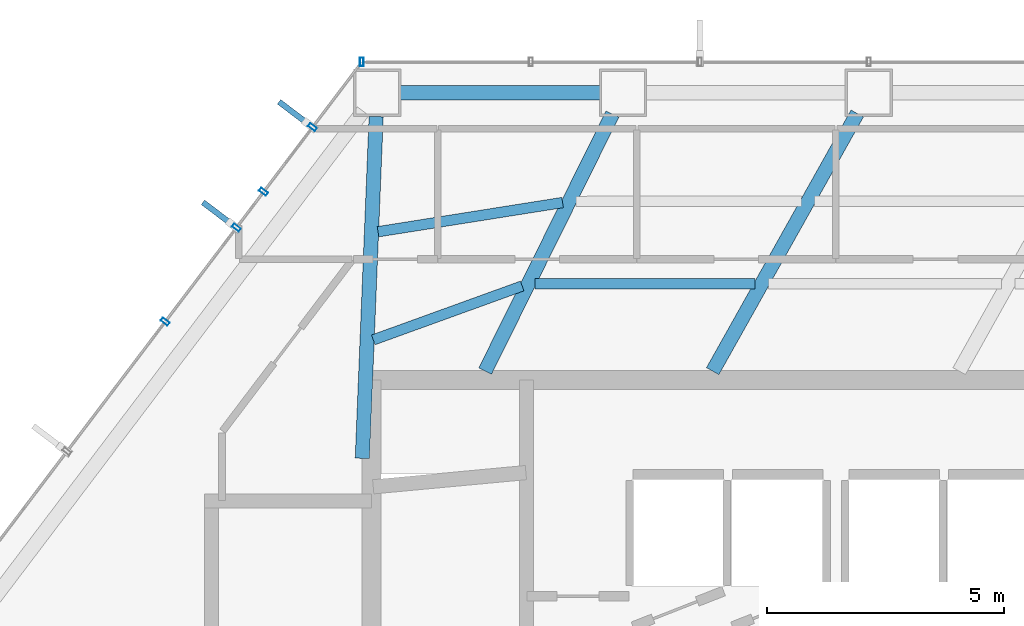
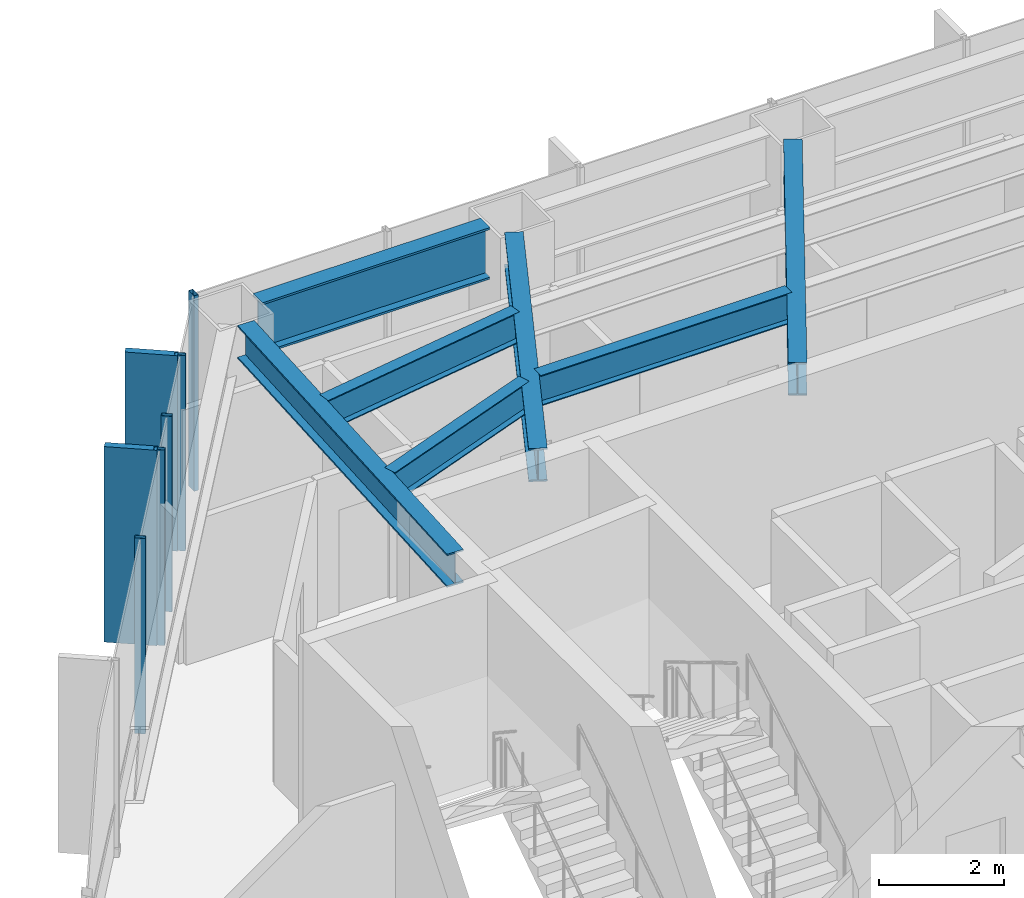
# One storey, part 13 of 26: 7 beams, 7 members, 2 elements without a shape of their own.
"""IFC4 building model written with IfcOpenShell, lengths in metres."""

from ifc_helpers import new_model, si_unit, direction, frame, origin, origin_2d, place, context, subcontext, project, spatial, rectangle, hollow_rectangle, i_section, extrude, material, layer, layer_set, material_profile, profile_set, type_object, element, aggregate, save


model = new_model("IFC4")

# Units and contexts
model_context = context("Model", 3, precision=1e-05, world=origin(), true_north=direction((0.0, 1.0)))
body_context = subcontext(model_context, "Body", "Model", "MODEL_VIEW")
ifc_project = project(units=[si_unit("LENGTHUNIT", "METRE"), si_unit("AREAUNIT", "SQUARE_METRE"), si_unit("VOLUMEUNIT", "CUBIC_METRE"), si_unit("PLANEANGLEUNIT", "RADIAN"), si_unit("MASSUNIT", "GRAM", prefix="KILO")], contexts=[model_context])

# Site, building, storey
site_placement = place(None, origin())
site = spatial("IfcSite", under=ifc_project, at=site_placement, CompositionType="ELEMENT")
building_placement = place(site_placement, origin())
building = spatial("IfcBuilding", under=site, at=building_placement, Name="Zarrinselat Tower", CompositionType="ELEMENT")
storey_placement = place(building_placement, frame((0.0, 0.0, 27.5400390625)))
storey = spatial("IfcBuildingStorey", under=building, at=storey_placement, Name="L06", CompositionType="ELEMENT", Elevation=27.5400390625)

# Beams
ifc_material_1 = material(Name="Steel S355J2", Category="steel")
ifc_material_profile_1 = material_profile(ifc_material_1, i_section(OverallWidth=0.300048828125, OverallDepth=0.64990234375, WebThickness=0.01611328125, FlangeThickness=0.031005859375, at=origin_2d()), Name="HEB 650")
ifc_profile_set_1 = profile_set([ifc_material_profile_1], Name="Steel S355J2")
beam_type_1 = type_object("IfcBeamType", Name="BM-HEB650", PredefinedType="BEAM", material=ifc_profile_set_1)
beam_1_placement = place(storey_placement, frame((35.800048828125, 43.639892578125, 3.494873046875), z_axis=(0.48932512593, 0.872101439704, 0.0), x_axis=(-0.872101439704, 0.48932512593, 0.0)))
element("IfcBeam", 1, at=beam_1_placement, inside=storey, type_object=beam_type_1, Name="L06 Radial Primary Girder RG03", PredefinedType="BEAM", context=body_context, shape_type="SweptSolid", body=[
    extrude(i_section(OverallWidth=0.300048828125, OverallDepth=0.64990234375, WebThickness=0.01611328125, FlangeThickness=0.031005859375, at=origin_2d()), origin(), (0.0, 0.0, 1.0), 6.230224609375),
])
beam_2_placement = place(storey_placement, frame((31.0, 43.639892578125, 3.494873046875), z_axis=(0.443885399975, 0.896083562894, 0.0), x_axis=(-0.896083562894, 0.443885399975, 0.0)))
element("IfcBeam", 2, at=beam_2_placement, inside=storey, type_object=beam_type_1, Name="L06 Radial Primary Girder RG04", PredefinedType="BEAM", context=body_context, shape_type="SweptSolid", body=[
    extrude(i_section(OverallWidth=0.300048828125, OverallDepth=0.64990234375, WebThickness=0.01611328125, FlangeThickness=0.031005859375, at=origin_2d()), origin(), (0.0, 0.0, 1.0), 6.050048828125),
])
beam_3_placement = place(storey_placement, frame((28.409912109375, 41.800048828125, 3.494873046875), z_axis=(0.040501788713, 0.999179465917, 0.0), x_axis=(-0.999179465917, 0.040501788713, 0.0)))
element("IfcBeam", 3, at=beam_3_placement, inside=storey, type_object=beam_type_1, Name="L06 Radial Primary Girder RG05", PredefinedType="BEAM", context=body_context, shape_type="SweptSolid", body=[
    extrude(i_section(OverallWidth=0.300048828125, OverallDepth=0.64990234375, WebThickness=0.01611328125, FlangeThickness=0.031005859375, at=origin_2d()), origin(), (0.0, 0.0, 1.0), 7.21533203125),
])
ifc_material_2 = material(Name="Steel S460M", Category="steel")
ifc_material_profile_2 = material_profile(ifc_material_2, i_section(OverallWidth=0.302001953125, OverallDepth=1.008056640625, WebThickness=0.02099609375, FlangeThickness=0.0400390625, at=origin_2d()), Name="HEM 1000")
ifc_profile_set_2 = profile_set([ifc_material_profile_2], Name="Steel S460M")
beam_type_2 = type_object("IfcBeamType", Name="BM-HEM1000", PredefinedType="BEAM", material=ifc_profile_set_2)
beam_4_placement = place(storey_placement, frame((29.21044921875, 49.510986328125, 3.31591796875), z_axis=(1.0, 0.0, 0.0), x_axis=(0.0, 1.0, 0.0)))
element("IfcBeam", 4, at=beam_4_placement, inside=storey, type_object=beam_type_2, Name="L06 Perimeter Spandrel Girder SP04", PredefinedType="BEAM", context=body_context, shape_type="SweptSolid", body=[
    extrude(i_section(OverallWidth=0.302001953125, OverallDepth=1.008056640625, WebThickness=0.02099609375, FlangeThickness=0.0400390625, at=origin_2d()), origin(), (0.0, 0.0, 1.0), 4.2099609375),
])
ifc_material_3 = material(Name="Steel S355J2", Category="steel")
ifc_material_profile_3 = material_profile(ifc_material_3, i_section(OverallWidth=0.219970703125, OverallDepth=0.60009765625, WebThickness=0.011962890625, FlangeThickness=0.01904296875, at=origin_2d()), Name="IPE 600")
ifc_profile_set_3 = profile_set([ifc_material_profile_3], Name="Steel S355J2")
beam_type_3 = type_object("IfcBeamType", Name="BM-IPE600", PredefinedType="JOIST", material=ifc_profile_set_3)
beam_5_placement = place(storey_placement, frame((32.052978515625, 45.4833984375, 3.52001953125), z_axis=(0.999999646175, 0.000841219471, 0.0), x_axis=(-0.000841219471, 0.999999646175, 0.0)))
element("IfcBeam", 5, at=beam_5_placement, inside=storey, type_object=beam_type_3, Name="L06 Composite Floor Joist 10-2", PredefinedType="JOIST", context=body_context, shape_type="SweptSolid", body=[
    extrude(i_section(OverallWidth=0.219970703125, OverallDepth=0.60009765625, WebThickness=0.011962890625, FlangeThickness=0.01904296875, at=origin_2d()), origin(), (0.0, 0.0, 1.0), 4.6435546875),
])
beam_6_placement = place(storey_placement, frame((28.7412109375, 46.580078125, 3.52001953125), z_axis=(0.987703632005, 0.156337888322, 0.0), x_axis=(-0.156337888322, 0.987703632005, 0.0)))
element("IfcBeam", 6, at=beam_6_placement, inside=storey, type_object=beam_type_3, Name="L06 Composite Floor Joist 11-1", PredefinedType="JOIST", context=body_context, shape_type="SweptSolid", body=[
    extrude(i_section(OverallWidth=0.219970703125, OverallDepth=0.60009765625, WebThickness=0.011962890625, FlangeThickness=0.01904296875, at=origin_2d()), origin(), (0.0, 0.0, 1.0), 3.941650390625),
])
beam_7_placement = place(storey_placement, frame((28.64111328125, 44.298828125, 3.52001953125), z_axis=(0.940296104803, 0.340357510998, 0.0), x_axis=(-0.340357510998, 0.940296104803, 0.0)))
element("IfcBeam", 7, at=beam_7_placement, inside=storey, type_object=beam_type_3, Name="L06 Composite Floor Joist 11-2", PredefinedType="JOIST", context=body_context, shape_type="SweptSolid", body=[
    extrude(i_section(OverallWidth=0.219970703125, OverallDepth=0.60009765625, WebThickness=0.011962890625, FlangeThickness=0.01904296875, at=origin_2d()), origin(), (0.0, 0.0, 1.0), 3.33984375),
])

# Curtain wall, member
ifc_material_4 = material(Name="Extruded Aluminium Alloy EN AW-6063 T6", Category="aluminium")
ifc_layer = layer(ifc_material_4, 0.18505859375)
ifc_layer_set = layer_set([ifc_layer], Name="Extruded Aluminium Alloy EN AW-6063 T6")
curtain_wall_type = type_object("IfcCurtainWallType", Name="CWS-OFF", PredefinedType="NOTDEFINED", material=ifc_layer_set)
curtain_wall_1_placement = place(storey_placement, origin())
curtain_wall_1 = element("IfcCurtainWall", 8, at=curtain_wall_1_placement, inside=storey, type_object=curtain_wall_type, Name="L06 Unitised Curtain Wall CW-L06-E01", PredefinedType="NOTDEFINED")
ifc_material_5 = material(Name="Extruded Aluminium Alloy EN AW-6063 T6", Category="aluminium")
ifc_material_profile_4 = material_profile(ifc_material_5, hollow_rectangle(XDim=0.080078125, YDim=0.179931640625, WallThickness=0.0048828125, at=origin_2d()), Name="RHS 180x80x5")
ifc_profile_set_4 = profile_set([ifc_material_profile_4], Name="Extruded Aluminium Alloy EN AW-6063 T6")
member_type_1 = type_object("IfcMemberType", Name="MEM-CW-MUL", PredefinedType="MULLION", material=ifc_profile_set_4)
member_1_placement = place(storey_placement, frame((28.3994140625, 50.1611328125, 0.0), z_axis=(0.0, 0.0, 1.0), x_axis=(-1.0, 0.0, 0.0)))
member_1 = element("IfcMember", 9, at=member_1_placement, type_object=member_type_1, Name="CW-L06-E01 Mullion 7", PredefinedType="MULLION", context=body_context, shape_type="SweptSolid", body=[
    extrude(hollow_rectangle(XDim=0.080078125, YDim=0.179931640625, WallThickness=0.0048828125, at=origin_2d()), origin(), (0.0, 0.0, 1.0), 3.820068359375),
])
aggregate(curtain_wall_1, [member_1])

# Curtain wall, members
curtain_wall_2_placement = place(storey_placement, origin())
curtain_wall_2 = element("IfcCurtainWall", 10, at=curtain_wall_2_placement, inside=storey, type_object=curtain_wall_type, Name="L06 Unitised Curtain Wall CW-L06-E02", PredefinedType="NOTDEFINED")
member_2_placement = place(storey_placement, frame((27.35791015625, 48.786376953125, 0.0), z_axis=(0.0, 0.0, 1.0), x_axis=(-0.603858715485, -0.797091369752, 0.0)))
member_2 = element("IfcMember", 11, at=member_2_placement, type_object=member_type_1, Name="CW-L06-E02 Mullion 1", PredefinedType="MULLION", context=body_context, shape_type="SweptSolid", body=[
    extrude(hollow_rectangle(XDim=0.080078125, YDim=0.179931640625, WallThickness=0.0048828125, at=origin_2d()), origin(), (0.0, 0.0, 1.0), 3.820068359375),
])
member_3_placement = place(storey_placement, frame((26.324951171875, 47.4228515625, 0.0), z_axis=(0.0, 0.0, 1.0), x_axis=(-0.603858715485, -0.797091369752, 0.0)))
member_3 = element("IfcMember", 12, at=member_3_placement, type_object=member_type_1, Name="CW-L06-E02 Mullion 2", PredefinedType="MULLION", context=body_context, shape_type="SweptSolid", body=[
    extrude(hollow_rectangle(XDim=0.080078125, YDim=0.179931640625, WallThickness=0.0048828125, at=origin_2d()), origin(), (0.0, 0.0, 1.0), 3.820068359375),
])
member_4_placement = place(storey_placement, frame((25.752197265625, 46.666748046875, 0.0), z_axis=(0.0, 0.0, 1.0), x_axis=(-0.603858715485, -0.797091369752, 0.0)))
member_4 = element("IfcMember", 13, at=member_4_placement, type_object=member_type_1, Name="CW-L06-E02 Mullion 3", PredefinedType="MULLION", context=body_context, shape_type="SweptSolid", body=[
    extrude(hollow_rectangle(XDim=0.080078125, YDim=0.179931640625, WallThickness=0.0048828125, at=origin_2d()), origin(), (0.0, 0.0, 1.0), 3.820068359375),
])
member_5_placement = place(storey_placement, frame((24.25048828125, 44.6845703125, 0.0), z_axis=(0.0, 0.0, 1.0), x_axis=(-0.603858715485, -0.797091369752, 0.0)))
member_5 = element("IfcMember", 14, at=member_5_placement, type_object=member_type_1, Name="CW-L06-E02 Mullion 4", PredefinedType="MULLION", context=body_context, shape_type="SweptSolid", body=[
    extrude(hollow_rectangle(XDim=0.080078125, YDim=0.179931640625, WallThickness=0.0048828125, at=origin_2d()), origin(), (0.0, 0.0, 1.0), 3.820068359375),
])
ifc_material_6 = material(Name="Honed Cream Travertine Stone", Category="masonry")
ifc_material_profile_5 = material_profile(ifc_material_6, rectangle(XDim=0.1201171875, YDim=0.85009765625, at=origin_2d()), Name="FIN 850x120")
ifc_profile_set_5 = profile_set([ifc_material_profile_5], Name="Honed Cream Travertine Stone")
member_type_2 = type_object("IfcMemberType", Name="MEM-STONE-FIN", PredefinedType="USERDEFINED", material=ifc_profile_set_5)
member_6_placement = place(storey_placement, frame((26.9912109375, 49.064208984375, 0.0), z_axis=(0.0, 0.0, 1.0), x_axis=(0.603858715485, 0.797091369752, 0.0)))
member_6 = element("IfcMember", 15, at=member_6_placement, type_object=member_type_2, Name="L06 Stone Shading Fin CW-L06-E02-01", ObjectType="FIN", PredefinedType="USERDEFINED", context=body_context, shape_type="SweptSolid", body=[
    extrude(rectangle(XDim=0.1201171875, YDim=0.85009765625, at=origin_2d()), origin(), (0.0, 0.0, 1.0), 3.820068359375),
])
member_7_placement = place(storey_placement, frame((25.385498046875, 46.944580078125, 0.0), z_axis=(0.0, 0.0, 1.0), x_axis=(0.603858715485, 0.797091369752, 0.0)))
member_7 = element("IfcMember", 16, at=member_7_placement, type_object=member_type_2, Name="L06 Stone Shading Fin CW-L06-E02-03", ObjectType="FIN", PredefinedType="USERDEFINED", context=body_context, shape_type="SweptSolid", body=[
    extrude(rectangle(XDim=0.1201171875, YDim=0.85009765625, at=origin_2d()), origin(), (0.0, 0.0, 1.0), 3.820068359375),
])
aggregate(curtain_wall_2, [member_2, member_6, member_3, member_4, member_7, member_5])

save(model, "model.ifc")
